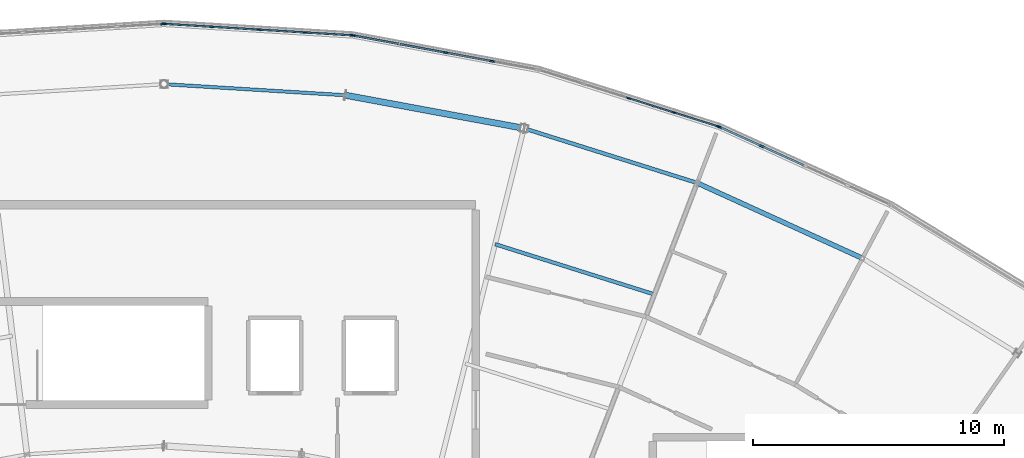
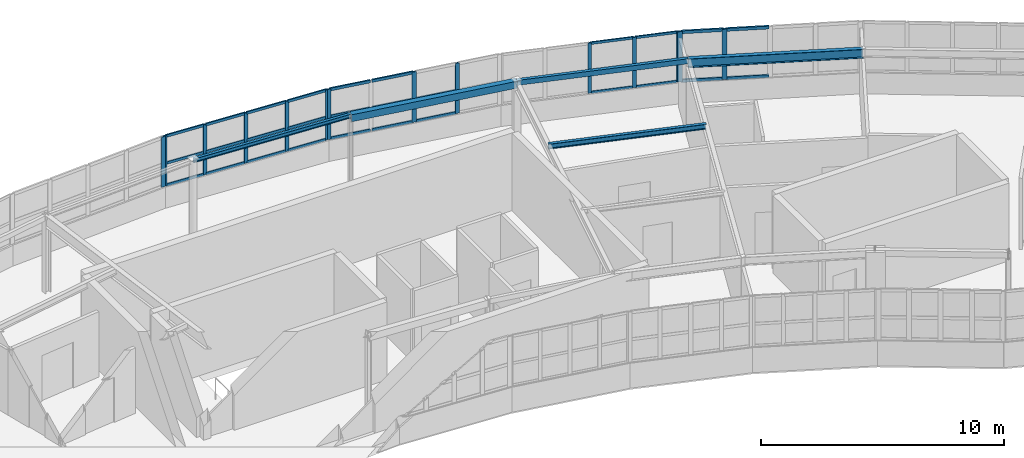
# One storey, part 11 of 26: 46 members, 5 beams, 5 elements without a shape of their own.
"""IFC4 building model written with IfcOpenShell, lengths in metres."""

from ifc_helpers import new_model, si_unit, direction, frame, origin, origin_2d, place, context, subcontext, project, spatial, rectangle, hollow_rectangle, i_section, extrude, material, layer, layer_set, material_profile, profile_set, type_object, element, aggregate, save


model = new_model("IFC4")

# Units and contexts
model_context = context("Model", 3, precision=1e-05, world=origin(), true_north=direction((0.0, 1.0)))
body_context = subcontext(model_context, "Body", "Model", "MODEL_VIEW")
ifc_project = project(units=[si_unit("LENGTHUNIT", "METRE"), si_unit("AREAUNIT", "SQUARE_METRE"), si_unit("VOLUMEUNIT", "CUBIC_METRE"), si_unit("PLANEANGLEUNIT", "RADIAN"), si_unit("MASSUNIT", "GRAM", prefix="KILO")], contexts=[model_context])

# Site, building, storey
site_placement = place(None, origin())
site = spatial("IfcSite", under=ifc_project, at=site_placement, CompositionType="ELEMENT")
building_placement = place(site_placement, origin())
building = spatial("IfcBuilding", under=site, at=building_placement, Name="Tarnwether General Hospital", CompositionType="ELEMENT")
storey_placement = place(building_placement, frame((0.0, 0.0, 30.0)))
storey = spatial("IfcBuildingStorey", under=building, at=storey_placement, Name="L07", CompositionType="ELEMENT", Elevation=30.0)

# Beams
ifc_material_1 = material(Name="Steel Grade 350 (350 MPa)", Category="steel")
ifc_material_profile_1 = material_profile(ifc_material_1, i_section(OverallWidth=0.14599609375, OverallDepth=0.256103515625, WebThickness=0.00634765625, FlangeThickness=0.010986328125, at=origin_2d()), Name="250UB37.3")
ifc_profile_set_1 = profile_set([ifc_material_profile_1], Name="Steel Grade 350 (350 MPa)")
beam_type_1 = type_object("IfcBeamType", Name="BM-J09", PredefinedType="JOIST", material=ifc_profile_set_1)
beam_1_placement = place(storey_placement, frame((105.172119140625, 115.8310546875, 3.77197265625), z_axis=(0.953671429399, -0.300850136693, 0.0), x_axis=(0.300850136693, 0.953671429399, 0.0)))
element("IfcBeam", 1, at=beam_1_placement, inside=storey, type_object=beam_type_1, Name="Curved Ward NW Chord Joist BMG-L07-10517_11583-11151_11383-2061", PredefinedType="JOIST", context=body_context, shape_type="SweptSolid", body=[
    extrude(i_section(OverallWidth=0.14599609375, OverallDepth=0.256103515625, WebThickness=0.00634765625, FlangeThickness=0.010986328125, at=origin_2d()), origin(), (0.0, 0.0, 1.0), 6.64794921875),
])
ifc_material_2 = material(Name="Steel Grade 350 (350 MPa)", Category="steel")
ifc_material_profile_2 = material_profile(ifc_material_2, i_section(OverallWidth=0.18994140625, OverallDepth=0.4541015625, WebThickness=0.008544921875, FlangeThickness=0.0126953125, at=origin_2d()), Name="460UB67.1")
ifc_profile_set_2 = profile_set([ifc_material_profile_2], Name="Steel Grade 350 (350 MPa)")
beam_type_2 = type_object("IfcBeamType", Name="BM-SP1", PredefinedType="SPANDREL", material=ifc_profile_set_2)
beam_2_placement = place(storey_placement, frame((113.215087890625, 118.26806640625, 3.673095703125), z_axis=(0.909943842177, -0.414731484316, 0.0), x_axis=(0.414731484316, 0.909943842177, 0.0)))
element("IfcBeam", 2, at=beam_2_placement, inside=storey, type_object=beam_type_2, Name="Curved Ward NW Outer Spandrel BMG-L07-11322_11827-11979_11527-2063", PredefinedType="SPANDREL", context=body_context, shape_type="SweptSolid", body=[
    extrude(i_section(OverallWidth=0.18994140625, OverallDepth=0.4541015625, WebThickness=0.008544921875, FlangeThickness=0.0126953125, at=origin_2d()), origin(), (0.0, 0.0, 1.0), 7.22900390625),
])
ifc_material_3 = material(Name="Steel Grade 350 (350 MPa)", Category="steel")
ifc_material_profile_3 = material_profile(ifc_material_3, i_section(OverallWidth=0.133056640625, OverallDepth=0.201904296875, WebThickness=0.0048828125, FlangeThickness=0.007080078125, at=origin_2d()), Name="200UB22.3")
ifc_profile_set_3 = profile_set([ifc_material_profile_3], Name="Steel Grade 350 (350 MPa)")
beam_type_3 = type_object("IfcBeamType", Name="BM-SP6", PredefinedType="SPANDREL", material=ifc_profile_set_3)
beam_3_placement = place(storey_placement, frame((92.0, 122.199951171875, 3.799072265625), z_axis=(0.998137964221, -0.060996757127, 0.0), x_axis=(0.060996757127, 0.998137964221, 0.0)))
element("IfcBeam", 3, at=beam_3_placement, inside=storey, type_object=beam_type_3, Name="Curved Ward NW Outer Spandrel BMG-L07-9200_12220-9922_12176-2055", PredefinedType="SPANDREL", context=body_context, shape_type="SweptSolid", body=[
    extrude(i_section(OverallWidth=0.133056640625, OverallDepth=0.201904296875, WebThickness=0.0048828125, FlangeThickness=0.007080078125, at=origin_2d()), origin(), (0.0, 0.0, 1.0), 7.228515625),
])
ifc_material_4 = material(Name="Steel Grade C350L0 (350 MPa)", Category="steel")
ifc_material_profile_4 = material_profile(ifc_material_4, hollow_rectangle(XDim=0.25, YDim=0.35009765625, WallThickness=0.012451171875, at=origin_2d()), Name="RHS350x250x12.5")
ifc_profile_set_4 = profile_set([ifc_material_profile_4], Name="Steel Grade C350L0 (350 MPa)")
beam_type_4 = type_object("IfcBeamType", Name="BM-SP7", PredefinedType="SPANDREL", material=ifc_profile_set_4)
beam_4_placement = place(storey_placement, frame((99.215087890625, 121.759033203125, 3.72509765625), z_axis=(0.98325623662, -0.182228354399, 0.0), x_axis=(0.182228354399, 0.98325623662, 0.0)))
element("IfcBeam", 4, at=beam_4_placement, inside=storey, type_object=beam_type_4, Name="Curved Ward NW Outer Spandrel BMG-L07-9922_12176-10632_12044-2057", PredefinedType="SPANDREL", context=body_context, shape_type="SweptSolid", body=[
    extrude(hollow_rectangle(XDim=0.25, YDim=0.35009765625, WallThickness=0.012451171875, at=origin_2d()), origin(), (0.0, 0.0, 1.0), 7.22802734375),
])
ifc_material_5 = material(Name="Steel Grade C350L0 (350 MPa)", Category="steel")
ifc_material_profile_5 = material_profile(ifc_material_5, hollow_rectangle(XDim=0.14990234375, YDim=0.25, WallThickness=0.008056640625, at=origin_2d()), Name="RHS250x150x8")
ifc_profile_set_5 = profile_set([ifc_material_profile_5], Name="Steel Grade C350L0 (350 MPa)")
beam_type_5 = type_object("IfcBeamType", Name="BM-SP8", PredefinedType="SPANDREL", material=ifc_profile_set_5)
beam_5_placement = place(storey_placement, frame((106.322021484375, 120.44189453125, 3.77490234375), z_axis=(0.953698988948, -0.300762761125, 0.0), x_axis=(0.300762761125, 0.953698988948, 0.0)))
element("IfcBeam", 5, at=beam_5_placement, inside=storey, type_object=beam_type_5, Name="Curved Ward NW Outer Spandrel BMG-L07-10632_12044-11322_11827-2059", PredefinedType="SPANDREL", context=body_context, shape_type="SweptSolid", body=[
    extrude(hollow_rectangle(XDim=0.14990234375, YDim=0.25, WallThickness=0.008056640625, at=origin_2d()), origin(), (0.0, 0.0, 1.0), 7.227783203125),
])

# Curtain wall, members
ifc_material_6 = material(Name="Anodised aluminium", Category="aluminium")
ifc_layer = layer(ifc_material_6, 0.179931640625)
ifc_layer_set = layer_set([ifc_layer], Name="Anodised aluminium")
curtain_wall_type = type_object("IfcCurtainWallType", Name="CW-07", PredefinedType="NOTDEFINED", material=ifc_layer_set)
curtain_wall_1_placement = place(storey_placement, origin())
curtain_wall_1 = element("IfcCurtainWall", 6, at=curtain_wall_1_placement, inside=storey, type_object=curtain_wall_type, Name="Curtain Wall CWG-L07-1069_1228-0148", PredefinedType="NOTDEFINED")
ifc_material_7 = material(Name="Anodised aluminium", Category="aluminium")
ifc_material_profile_6 = material_profile(ifc_material_7, rectangle(XDim=0.06005859375, YDim=0.159912109375, at=origin_2d()), Name="ALU-MUL-60x160")
ifc_profile_set_6 = profile_set([ifc_material_profile_6], Name="Anodised aluminium")
member_type_1 = type_object("IfcMemberType", Name="CW-ML1", PredefinedType="MULLION", material=ifc_profile_set_6)
member_1_placement = place(storey_placement, frame((110.488525390625, 121.639404296875, 1.050048828125), z_axis=(0.0, 0.0, 1.0), x_axis=(0.300628613299, 0.953741284032, 0.0)))
member_1 = element("IfcMember", 7, at=member_1_placement, type_object=member_type_1, Name="CW-07 mullion 3", PredefinedType="MULLION", context=body_context, shape_type="SweptSolid", body=[
    extrude(rectangle(XDim=0.06005859375, YDim=0.159912109375, at=origin_2d()), origin(), (0.0, 0.0, 1.0), 2.52001953125),
])
member_2_placement = place(storey_placement, frame((112.28173828125, 121.07421875, 1.050048828125), z_axis=(0.0, 0.0, 1.0), x_axis=(0.300628613299, 0.953741284032, 0.0)))
member_2 = element("IfcMember", 8, at=member_2_placement, type_object=member_type_1, Name="CW-07 mullion 4", PredefinedType="MULLION", context=body_context, shape_type="SweptSolid", body=[
    extrude(rectangle(XDim=0.06005859375, YDim=0.159912109375, at=origin_2d()), origin(), (0.0, 0.0, 1.0), 2.52001953125),
])
member_3_placement = place(storey_placement, frame((114.04638671875, 120.51806640625, 1.050048828125), z_axis=(0.0, 0.0, 1.0), x_axis=(0.300628613299, 0.953741284032, 0.0)))
member_3 = element("IfcMember", 9, at=member_3_placement, type_object=member_type_1, Name="CW-07 mullion 5", PredefinedType="MULLION", context=body_context, shape_type="SweptSolid", body=[
    extrude(rectangle(XDim=0.06005859375, YDim=0.159912109375, at=origin_2d()), origin(), (0.0, 0.0, 1.0), 2.52001953125),
])

curtain_wall_2_placement = place(storey_placement, origin())
curtain_wall_2 = element("IfcCurtainWall", 10, at=curtain_wall_2_placement, inside=storey, type_object=curtain_wall_type, Name="Curtain Wall CWG-L07-995_1241-0149", PredefinedType="NOTDEFINED")
ifc_material_8 = material(Name="Anodised aluminium", Category="aluminium")
ifc_material_profile_7 = material_profile(ifc_material_8, rectangle(XDim=0.070068359375, YDim=0.179931640625, at=origin_2d()), Name="ALU-MUL-70x180")
ifc_profile_set_7 = profile_set([ifc_material_profile_7], Name="Anodised aluminium")
member_type_2 = type_object("IfcMemberType", Name="CW-ML2", PredefinedType="MULLION", material=ifc_profile_set_7)
member_4_placement = place(storey_placement, frame((99.54150390625, 124.134521484375, 1.050048828125), z_axis=(0.0, 0.0, 1.0), x_axis=(0.182289226614, 0.983244953132, 0.0)))
member_4 = element("IfcMember", 11, at=member_4_placement, type_object=member_type_2, Name="CW-07 mullion 1", PredefinedType="MULLION", context=body_context, shape_type="SweptSolid", body=[
    extrude(rectangle(XDim=0.070068359375, YDim=0.179931640625, at=origin_2d()), origin(), (0.0, 0.0, 1.0), 2.52001953125),
])
member_5_placement = place(storey_placement, frame((103.20458984375, 123.45556640625, 1.050048828125), z_axis=(0.0, 0.0, 1.0), x_axis=(0.182289226614, 0.983244953132, 0.0)))
member_5 = element("IfcMember", 12, at=member_5_placement, type_object=member_type_2, Name="CW-07 mullion 3", PredefinedType="MULLION", context=body_context, shape_type="SweptSolid", body=[
    extrude(rectangle(XDim=0.070068359375, YDim=0.179931640625, at=origin_2d()), origin(), (0.0, 0.0, 1.0), 2.52001953125),
])
member_6_placement = place(storey_placement, frame((105.05322265625, 123.11279296875, 1.050048828125), z_axis=(0.0, 0.0, 1.0), x_axis=(0.182289226614, 0.983244953132, 0.0)))
member_6 = element("IfcMember", 13, at=member_6_placement, type_object=member_type_2, Name="CW-07 mullion 4", PredefinedType="MULLION", context=body_context, shape_type="SweptSolid", body=[
    extrude(rectangle(XDim=0.070068359375, YDim=0.179931640625, at=origin_2d()), origin(), (0.0, 0.0, 1.0), 2.52001953125),
])

curtain_wall_3_placement = place(storey_placement, origin())
curtain_wall_3 = element("IfcCurtainWall", 14, at=curtain_wall_3_placement, inside=storey, type_object=curtain_wall_type, Name="Curtain Wall CWG-L07-920_1246-0150", PredefinedType="NOTDEFINED")
ifc_material_9 = material(Name="Anodised aluminium", Category="aluminium")
ifc_material_profile_8 = material_profile(ifc_material_9, rectangle(XDim=0.06494140625, YDim=0.169921875, at=origin_2d()), Name="ALU-MUL-65x170")
ifc_profile_set_8 = profile_set([ifc_material_profile_8], Name="Anodised aluminium")
member_type_3 = type_object("IfcMemberType", Name="CW-ML3", PredefinedType="MULLION", material=ifc_profile_set_8)
member_7_placement = place(storey_placement, frame((92.032470703125, 124.597900390625, 1.050048828125), z_axis=(0.0, 0.0, 1.0), x_axis=(0.061028962567, 0.998135995608, 0.0)))
member_7 = element("IfcMember", 15, at=member_7_placement, type_object=member_type_3, Name="CW-07 mullion 1", PredefinedType="MULLION", context=body_context, shape_type="SweptSolid", body=[
    extrude(rectangle(XDim=0.06494140625, YDim=0.169921875, at=origin_2d()), origin(), (0.0, 0.0, 1.0), 2.52001953125),
])
member_8_placement = place(storey_placement, frame((93.876708984375, 124.4853515625, 1.050048828125), z_axis=(0.0, 0.0, 1.0), x_axis=(0.061028962567, 0.998135995608, 0.0)))
member_8 = element("IfcMember", 16, at=member_8_placement, type_object=member_type_3, Name="CW-07 mullion 2", PredefinedType="MULLION", context=body_context, shape_type="SweptSolid", body=[
    extrude(rectangle(XDim=0.06494140625, YDim=0.169921875, at=origin_2d()), origin(), (0.0, 0.0, 1.0), 2.52001953125),
])
member_9_placement = place(storey_placement, frame((95.75341796875, 124.37060546875, 1.050048828125), z_axis=(0.0, 0.0, 1.0), x_axis=(0.061028962567, 0.998135995608, 0.0)))
member_9 = element("IfcMember", 17, at=member_9_placement, type_object=member_type_3, Name="CW-07 mullion 3", PredefinedType="MULLION", context=body_context, shape_type="SweptSolid", body=[
    extrude(rectangle(XDim=0.06494140625, YDim=0.169921875, at=origin_2d()), origin(), (0.0, 0.0, 1.0), 2.52001953125),
])
member_10_placement = place(storey_placement, frame((97.63037109375, 124.255859375, 1.050048828125), z_axis=(0.0, 0.0, 1.0), x_axis=(0.061028962567, 0.998135995608, 0.0)))
member_10 = element("IfcMember", 18, at=member_10_placement, type_object=member_type_3, Name="CW-07 mullion 4", PredefinedType="MULLION", context=body_context, shape_type="SweptSolid", body=[
    extrude(rectangle(XDim=0.06494140625, YDim=0.169921875, at=origin_2d()), origin(), (0.0, 0.0, 1.0), 2.52001953125),
])
member_11_placement = place(storey_placement, frame((99.474609375, 124.14306640625, 1.050048828125), z_axis=(0.0, 0.0, 1.0), x_axis=(0.061028962567, 0.998135995608, 0.0)))
member_11 = element("IfcMember", 19, at=member_11_placement, type_object=member_type_3, Name="CW-07 mullion 5", PredefinedType="MULLION", context=body_context, shape_type="SweptSolid", body=[
    extrude(rectangle(XDim=0.06494140625, YDim=0.169921875, at=origin_2d()), origin(), (0.0, 0.0, 1.0), 2.52001953125),
])

curtain_wall_4_placement = place(storey_placement, origin())
curtain_wall_4 = element("IfcCurtainWall", 20, at=curtain_wall_4_placement, inside=storey, type_object=curtain_wall_type, Name="Curtain Wall CWG-L07-1141_1205-0147", PredefinedType="NOTDEFINED")
ifc_material_10 = material(Name="Anodised aluminium", Category="aluminium")
ifc_material_profile_9 = material_profile(ifc_material_10, rectangle(XDim=0.080078125, YDim=0.199951171875, at=origin_2d()), Name="ALU-MUL-80x200")
ifc_profile_set_9 = profile_set([ifc_material_profile_9], Name="Anodised aluminium")
member_type_4 = type_object("IfcMemberType", Name="CW-ML4", PredefinedType="MULLION", material=ifc_profile_set_9)
member_12_placement = place(storey_placement, frame((114.111328125, 120.492431640625, 1.050048828125), z_axis=(0.0, 0.0, 1.0), x_axis=(0.414694289316, 0.909960793886, 0.0)))
member_12 = element("IfcMember", 21, at=member_12_placement, type_object=member_type_4, Name="CW-07 mullion 1", PredefinedType="MULLION", context=body_context, shape_type="SweptSolid", body=[
    extrude(rectangle(XDim=0.080078125, YDim=0.199951171875, at=origin_2d()), origin(), (0.0, 0.0, 1.0), 2.52001953125),
])
member_13_placement = place(storey_placement, frame((115.785888671875, 119.729248046875, 1.050048828125), z_axis=(0.0, 0.0, 1.0), x_axis=(0.414694289316, 0.909960793886, 0.0)))
member_13 = element("IfcMember", 22, at=member_13_placement, type_object=member_type_4, Name="CW-07 mullion 2", PredefinedType="MULLION", context=body_context, shape_type="SweptSolid", body=[
    extrude(rectangle(XDim=0.080078125, YDim=0.199951171875, at=origin_2d()), origin(), (0.0, 0.0, 1.0), 2.52001953125),
])

# Curtain wall, member
curtain_wall_5_placement = place(storey_placement, origin())
curtain_wall_5 = element("IfcCurtainWall", 23, at=curtain_wall_5_placement, inside=storey, type_object=curtain_wall_type, Name="Curtain Wall CWG-L07-845_1241-0151", PredefinedType="NOTDEFINED")
member_14_placement = place(storey_placement, frame((91.9599609375, 124.59765625, 1.050048828125), z_axis=(0.0, 0.0, 1.0), x_axis=(-0.061028962567, 0.998135995608, 0.0)))
member_14 = element("IfcMember", 24, at=member_14_placement, type_object=member_type_4, Name="CW-07 mullion 5", PredefinedType="MULLION", context=body_context, shape_type="SweptSolid", body=[
    extrude(rectangle(XDim=0.080078125, YDim=0.199951171875, at=origin_2d()), origin(), (0.0, 0.0, 1.0), 2.52001953125),
])
aggregate(curtain_wall_5, [member_14])

# Member
ifc_material_11 = material(Name="Anodised aluminium", Category="aluminium")
ifc_material_profile_10 = material_profile(ifc_material_11, rectangle(XDim=0.06005859375, YDim=0.1201171875, at=origin_2d()), Name="ALU-TRN-60x120")
ifc_profile_set_10 = profile_set([ifc_material_profile_10], Name="Anodised aluminium")
member_type_5 = type_object("IfcMemberType", Name="CW-TR1", PredefinedType="USERDEFINED", material=ifc_profile_set_10)
member_15_placement = place(storey_placement, frame((110.51708984375, 121.63037109375, 1.080078125), z_axis=(0.953758856657, -0.300572858637, 0.0), x_axis=(0.300572858637, 0.953758856657, 0.0)))
member_15 = element("IfcMember", 25, at=member_15_placement, type_object=member_type_5, Name="CW-07 transom 3.1", ObjectType="TRANSOM", PredefinedType="USERDEFINED", context=body_context, shape_type="SweptSolid", body=[
    extrude(rectangle(XDim=0.06005859375, YDim=0.1201171875, at=origin_2d()), origin(), (0.0, 0.0, 1.0), 1.8203125),
])

member_16_placement = place(storey_placement, frame((110.51708984375, 121.63037109375, 2.18408203125), z_axis=(0.953758856657, -0.300572858637, 0.0), x_axis=(0.300572858637, 0.953758856657, 0.0)))
member_16 = element("IfcMember", 26, at=member_16_placement, type_object=member_type_5, Name="CW-07 transom 3.2", ObjectType="TRANSOM", PredefinedType="USERDEFINED", context=body_context, shape_type="SweptSolid", body=[
    extrude(rectangle(XDim=0.06005859375, YDim=0.1201171875, at=origin_2d()), origin(), (0.0, 0.0, 1.0), 1.8203125),
])

member_17_placement = place(storey_placement, frame((110.51708984375, 121.63037109375, 3.5400390625), z_axis=(0.953758856657, -0.300572858637, 0.0), x_axis=(0.300572858637, 0.953758856657, 0.0)))
member_17 = element("IfcMember", 27, at=member_17_placement, type_object=member_type_5, Name="CW-07 transom 3.3", ObjectType="TRANSOM", PredefinedType="USERDEFINED", context=body_context, shape_type="SweptSolid", body=[
    extrude(rectangle(XDim=0.06005859375, YDim=0.1201171875, at=origin_2d()), origin(), (0.0, 0.0, 1.0), 1.8203125),
])

member_18_placement = place(storey_placement, frame((112.310302734375, 121.065185546875, 1.080078125), z_axis=(0.953763859338, -0.300556983983, 0.0), x_axis=(0.300556983983, 0.953763859338, 0.0)))
member_18 = element("IfcMember", 28, at=member_18_placement, type_object=member_type_5, Name="CW-07 transom 4.1", ObjectType="TRANSOM", PredefinedType="USERDEFINED", context=body_context, shape_type="SweptSolid", body=[
    extrude(rectangle(XDim=0.06005859375, YDim=0.1201171875, at=origin_2d()), origin(), (0.0, 0.0, 1.0), 1.790283203125),
])

member_19_placement = place(storey_placement, frame((112.310302734375, 121.065185546875, 2.18408203125), z_axis=(0.953763859338, -0.300556983983, 0.0), x_axis=(0.300556983983, 0.953763859338, 0.0)))
member_19 = element("IfcMember", 29, at=member_19_placement, type_object=member_type_5, Name="CW-07 transom 4.2", ObjectType="TRANSOM", PredefinedType="USERDEFINED", context=body_context, shape_type="SweptSolid", body=[
    extrude(rectangle(XDim=0.06005859375, YDim=0.1201171875, at=origin_2d()), origin(), (0.0, 0.0, 1.0), 1.790283203125),
])

member_20_placement = place(storey_placement, frame((112.310302734375, 121.065185546875, 3.5400390625), z_axis=(0.953763859338, -0.300556983983, 0.0), x_axis=(0.300556983983, 0.953763859338, 0.0)))
member_20 = element("IfcMember", 30, at=member_20_placement, type_object=member_type_5, Name="CW-07 transom 4.3", ObjectType="TRANSOM", PredefinedType="USERDEFINED", context=body_context, shape_type="SweptSolid", body=[
    extrude(rectangle(XDim=0.06005859375, YDim=0.1201171875, at=origin_2d()), origin(), (0.0, 0.0, 1.0), 1.790283203125),
])

aggregate(curtain_wall_1, [member_1, member_2, member_3, member_15, member_16, member_17, member_18, member_19, member_20])

ifc_material_12 = material(Name="Anodised aluminium", Category="aluminium")
ifc_material_profile_11 = material_profile(ifc_material_12, rectangle(XDim=0.070068359375, YDim=0.139892578125, at=origin_2d()), Name="ALU-TRN-70x140")
ifc_profile_set_11 = profile_set([ifc_material_profile_11], Name="Anodised aluminium")
member_type_6 = type_object("IfcMemberType", Name="CW-TR2", PredefinedType="USERDEFINED", material=ifc_profile_set_11)
member_21_placement = place(storey_placement, frame((99.575927734375, 124.128173828125, 1.0849609375), z_axis=(0.983254632338, -0.18223701047, 0.0), x_axis=(0.18223701047, 0.983254632338, 0.0)))
member_21 = element("IfcMember", 31, at=member_21_placement, type_object=member_type_6, Name="CW-07 transom 1.1", ObjectType="TRANSOM", PredefinedType="USERDEFINED", context=body_context, shape_type="SweptSolid", body=[
    extrude(rectangle(XDim=0.070068359375, YDim=0.139892578125, at=origin_2d()), origin(), (0.0, 0.0, 1.0), 1.775146484375),
])

member_22_placement = place(storey_placement, frame((99.575927734375, 124.128173828125, 2.18408203125), z_axis=(0.983254632338, -0.18223701047, 0.0), x_axis=(0.18223701047, 0.983254632338, 0.0)))
member_22 = element("IfcMember", 32, at=member_22_placement, type_object=member_type_6, Name="CW-07 transom 1.2", ObjectType="TRANSOM", PredefinedType="USERDEFINED", context=body_context, shape_type="SweptSolid", body=[
    extrude(rectangle(XDim=0.070068359375, YDim=0.139892578125, at=origin_2d()), origin(), (0.0, 0.0, 1.0), 1.775146484375),
])

member_23_placement = place(storey_placement, frame((99.575927734375, 124.128173828125, 3.534912109375), z_axis=(0.983254632338, -0.18223701047, 0.0), x_axis=(0.18223701047, 0.983254632338, 0.0)))
member_23 = element("IfcMember", 33, at=member_23_placement, type_object=member_type_6, Name="CW-07 transom 1.3", ObjectType="TRANSOM", PredefinedType="USERDEFINED", context=body_context, shape_type="SweptSolid", body=[
    extrude(rectangle(XDim=0.070068359375, YDim=0.139892578125, at=origin_2d()), origin(), (0.0, 0.0, 1.0), 1.775146484375),
])

member_24_placement = place(storey_placement, frame((101.39013671875, 123.791748046875, 1.0849609375), z_axis=(0.983262324748, -0.182195501404, 0.0), x_axis=(0.182195501404, 0.983262324748, 0.0)))
member_24 = element("IfcMember", 34, at=member_24_placement, type_object=member_type_6, Name="CW-07 transom 2.1", ObjectType="TRANSOM", PredefinedType="USERDEFINED", context=body_context, shape_type="SweptSolid", body=[
    extrude(rectangle(XDim=0.070068359375, YDim=0.139892578125, at=origin_2d()), origin(), (0.0, 0.0, 1.0), 1.810302734375),
])

member_25_placement = place(storey_placement, frame((101.39013671875, 123.791748046875, 2.18408203125), z_axis=(0.983262324748, -0.182195501404, 0.0), x_axis=(0.182195501404, 0.983262324748, 0.0)))
member_25 = element("IfcMember", 35, at=member_25_placement, type_object=member_type_6, Name="CW-07 transom 2.2", ObjectType="TRANSOM", PredefinedType="USERDEFINED", context=body_context, shape_type="SweptSolid", body=[
    extrude(rectangle(XDim=0.070068359375, YDim=0.139892578125, at=origin_2d()), origin(), (0.0, 0.0, 1.0), 1.810302734375),
])

member_26_placement = place(storey_placement, frame((101.39013671875, 123.791748046875, 3.534912109375), z_axis=(0.983262324748, -0.182195501404, 0.0), x_axis=(0.182195501404, 0.983262324748, 0.0)))
member_26 = element("IfcMember", 36, at=member_26_placement, type_object=member_type_6, Name="CW-07 transom 2.3", ObjectType="TRANSOM", PredefinedType="USERDEFINED", context=body_context, shape_type="SweptSolid", body=[
    extrude(rectangle(XDim=0.070068359375, YDim=0.139892578125, at=origin_2d()), origin(), (0.0, 0.0, 1.0), 1.810302734375),
])

member_27_placement = place(storey_placement, frame((103.239013671875, 123.44921875, 1.0849609375), z_axis=(0.983233673232, -0.182350058465, 0.0), x_axis=(0.182350058465, 0.983233673232, 0.0)))
member_27 = element("IfcMember", 37, at=member_27_placement, type_object=member_type_6, Name="CW-07 transom 3.1", ObjectType="TRANSOM", PredefinedType="USERDEFINED", context=body_context, shape_type="SweptSolid", body=[
    extrude(rectangle(XDim=0.070068359375, YDim=0.139892578125, at=origin_2d()), origin(), (0.0, 0.0, 1.0), 1.81005859375),
])

member_28_placement = place(storey_placement, frame((103.239013671875, 123.44921875, 2.18408203125), z_axis=(0.983233673232, -0.182350058465, 0.0), x_axis=(0.182350058465, 0.983233673232, 0.0)))
member_28 = element("IfcMember", 38, at=member_28_placement, type_object=member_type_6, Name="CW-07 transom 3.2", ObjectType="TRANSOM", PredefinedType="USERDEFINED", context=body_context, shape_type="SweptSolid", body=[
    extrude(rectangle(XDim=0.070068359375, YDim=0.139892578125, at=origin_2d()), origin(), (0.0, 0.0, 1.0), 1.81005859375),
])

aggregate(curtain_wall_2, [member_4, member_5, member_6, member_21, member_22, member_23, member_24, member_25, member_26, member_27, member_28])

ifc_material_13 = material(Name="Anodised aluminium", Category="aluminium")
ifc_material_profile_12 = material_profile(ifc_material_13, rectangle(XDim=0.06494140625, YDim=0.1298828125, at=origin_2d()), Name="ALU-TRN-65x130")
ifc_profile_set_12 = profile_set([ifc_material_profile_12], Name="Anodised aluminium")
member_type_7 = type_object("IfcMemberType", Name="CW-TR3", PredefinedType="USERDEFINED", material=ifc_profile_set_12)
member_29_placement = place(storey_placement, frame((92.06494140625, 124.595947265625, 1.08251953125), z_axis=(0.998141078696, -0.060945771133, 0.0), x_axis=(0.060945771133, 0.998141078696, 0.0)))
member_29 = element("IfcMember", 39, at=member_29_placement, type_object=member_type_7, Name="CW-07 transom 1.1", ObjectType="TRANSOM", PredefinedType="USERDEFINED", context=body_context, shape_type="SweptSolid", body=[
    extrude(rectangle(XDim=0.06494140625, YDim=0.1298828125, at=origin_2d()), origin(), (0.0, 0.0, 1.0), 1.78271484375),
])

member_30_placement = place(storey_placement, frame((92.06494140625, 124.595947265625, 2.18408203125), z_axis=(0.998141078696, -0.060945771133, 0.0), x_axis=(0.060945771133, 0.998141078696, 0.0)))
member_30 = element("IfcMember", 40, at=member_30_placement, type_object=member_type_7, Name="CW-07 transom 1.2", ObjectType="TRANSOM", PredefinedType="USERDEFINED", context=body_context, shape_type="SweptSolid", body=[
    extrude(rectangle(XDim=0.06494140625, YDim=0.1298828125, at=origin_2d()), origin(), (0.0, 0.0, 1.0), 1.78271484375),
])

member_31_placement = place(storey_placement, frame((92.06494140625, 124.595947265625, 3.53759765625), z_axis=(0.998141078696, -0.060945771133, 0.0), x_axis=(0.060945771133, 0.998141078696, 0.0)))
member_31 = element("IfcMember", 41, at=member_31_placement, type_object=member_type_7, Name="CW-07 transom 1.3", ObjectType="TRANSOM", PredefinedType="USERDEFINED", context=body_context, shape_type="SweptSolid", body=[
    extrude(rectangle(XDim=0.06494140625, YDim=0.1298828125, at=origin_2d()), origin(), (0.0, 0.0, 1.0), 1.78271484375),
])

member_32_placement = place(storey_placement, frame((93.9091796875, 124.483154296875, 1.08251953125), z_axis=(0.998142067648, -0.060929572382, 0.0), x_axis=(0.060929572382, 0.998142067648, 0.0)))
member_32 = element("IfcMember", 42, at=member_32_placement, type_object=member_type_7, Name="CW-07 transom 2.1", ObjectType="TRANSOM", PredefinedType="USERDEFINED", context=body_context, shape_type="SweptSolid", body=[
    extrude(rectangle(XDim=0.06494140625, YDim=0.1298828125, at=origin_2d()), origin(), (0.0, 0.0, 1.0), 1.815185546875),
])

member_33_placement = place(storey_placement, frame((93.9091796875, 124.483154296875, 2.18408203125), z_axis=(0.998142067648, -0.060929572382, 0.0), x_axis=(0.060929572382, 0.998142067648, 0.0)))
member_33 = element("IfcMember", 43, at=member_33_placement, type_object=member_type_7, Name="CW-07 transom 2.2", ObjectType="TRANSOM", PredefinedType="USERDEFINED", context=body_context, shape_type="SweptSolid", body=[
    extrude(rectangle(XDim=0.06494140625, YDim=0.1298828125, at=origin_2d()), origin(), (0.0, 0.0, 1.0), 1.815185546875),
])

member_34_placement = place(storey_placement, frame((93.9091796875, 124.483154296875, 3.53759765625), z_axis=(0.998142067648, -0.060929572382, 0.0), x_axis=(0.060929572382, 0.998142067648, 0.0)))
member_34 = element("IfcMember", 44, at=member_34_placement, type_object=member_type_7, Name="CW-07 transom 2.3", ObjectType="TRANSOM", PredefinedType="USERDEFINED", context=body_context, shape_type="SweptSolid", body=[
    extrude(rectangle(XDim=0.06494140625, YDim=0.1298828125, at=origin_2d()), origin(), (0.0, 0.0, 1.0), 1.815185546875),
])

member_35_placement = place(storey_placement, frame((95.785888671875, 124.368408203125, 1.08251953125), z_axis=(0.998142566876, -0.060921393532, 0.0), x_axis=(0.060921393532, 0.998142566876, 0.0)))
member_35 = element("IfcMember", 45, at=member_35_placement, type_object=member_type_7, Name="CW-07 transom 3.1", ObjectType="TRANSOM", PredefinedType="USERDEFINED", context=body_context, shape_type="SweptSolid", body=[
    extrude(rectangle(XDim=0.06494140625, YDim=0.1298828125, at=origin_2d()), origin(), (0.0, 0.0, 1.0), 1.8154296875),
])

member_36_placement = place(storey_placement, frame((95.785888671875, 124.368408203125, 2.18408203125), z_axis=(0.998142566876, -0.060921393532, 0.0), x_axis=(0.060921393532, 0.998142566876, 0.0)))
member_36 = element("IfcMember", 46, at=member_36_placement, type_object=member_type_7, Name="CW-07 transom 3.2", ObjectType="TRANSOM", PredefinedType="USERDEFINED", context=body_context, shape_type="SweptSolid", body=[
    extrude(rectangle(XDim=0.06494140625, YDim=0.1298828125, at=origin_2d()), origin(), (0.0, 0.0, 1.0), 1.8154296875),
])

member_37_placement = place(storey_placement, frame((95.785888671875, 124.368408203125, 3.53759765625), z_axis=(0.998142566876, -0.060921393532, 0.0), x_axis=(0.060921393532, 0.998142566876, 0.0)))
member_37 = element("IfcMember", 47, at=member_37_placement, type_object=member_type_7, Name="CW-07 transom 3.3", ObjectType="TRANSOM", PredefinedType="USERDEFINED", context=body_context, shape_type="SweptSolid", body=[
    extrude(rectangle(XDim=0.06494140625, YDim=0.1298828125, at=origin_2d()), origin(), (0.0, 0.0, 1.0), 1.8154296875),
])

member_38_placement = place(storey_placement, frame((97.66259765625, 124.253662109375, 1.08251953125), z_axis=(0.998141587302, -0.060937440849, 0.0), x_axis=(0.060937440849, 0.998141587302, 0.0)))
member_38 = element("IfcMember", 48, at=member_38_placement, type_object=member_type_7, Name="CW-07 transom 4.1", ObjectType="TRANSOM", PredefinedType="USERDEFINED", context=body_context, shape_type="SweptSolid", body=[
    extrude(rectangle(XDim=0.06494140625, YDim=0.1298828125, at=origin_2d()), origin(), (0.0, 0.0, 1.0), 1.782958984375),
])

member_39_placement = place(storey_placement, frame((97.66259765625, 124.253662109375, 2.18408203125), z_axis=(0.998141587302, -0.060937440849, 0.0), x_axis=(0.060937440849, 0.998141587302, 0.0)))
member_39 = element("IfcMember", 49, at=member_39_placement, type_object=member_type_7, Name="CW-07 transom 4.2", ObjectType="TRANSOM", PredefinedType="USERDEFINED", context=body_context, shape_type="SweptSolid", body=[
    extrude(rectangle(XDim=0.06494140625, YDim=0.1298828125, at=origin_2d()), origin(), (0.0, 0.0, 1.0), 1.782958984375),
])

member_40_placement = place(storey_placement, frame((97.66259765625, 124.253662109375, 3.53759765625), z_axis=(0.998141587302, -0.060937440849, 0.0), x_axis=(0.060937440849, 0.998141587302, 0.0)))
member_40 = element("IfcMember", 50, at=member_40_placement, type_object=member_type_7, Name="CW-07 transom 4.3", ObjectType="TRANSOM", PredefinedType="USERDEFINED", context=body_context, shape_type="SweptSolid", body=[
    extrude(rectangle(XDim=0.06494140625, YDim=0.1298828125, at=origin_2d()), origin(), (0.0, 0.0, 1.0), 1.782958984375),
])

aggregate(curtain_wall_3, [member_7, member_8, member_9, member_10, member_11, member_29, member_30, member_31, member_32, member_33, member_34, member_35, member_36, member_37, member_38, member_39, member_40])

ifc_material_14 = material(Name="Anodised aluminium", Category="aluminium")
ifc_material_profile_13 = material_profile(ifc_material_14, rectangle(XDim=0.080078125, YDim=0.14990234375, at=origin_2d()), Name="ALU-TRN-80x150")
ifc_profile_set_13 = profile_set([ifc_material_profile_13], Name="Anodised aluminium")
member_type_8 = type_object("IfcMemberType", Name="CW-TR4", PredefinedType="USERDEFINED", material=ifc_profile_set_13)
member_41_placement = place(storey_placement, frame((114.147705078125, 120.475830078125, 1.090087890625), z_axis=(0.90996231564, -0.414690950124, 0.0), x_axis=(0.414690950124, 0.90996231564, 0.0)))
member_41 = element("IfcMember", 51, at=member_41_placement, type_object=member_type_8, Name="CW-07 transom 1.1", ObjectType="TRANSOM", PredefinedType="USERDEFINED", context=body_context, shape_type="SweptSolid", body=[
    extrude(rectangle(XDim=0.080078125, YDim=0.14990234375, at=origin_2d()), origin(), (0.0, 0.0, 1.0), 1.76025390625),
])

member_42_placement = place(storey_placement, frame((114.147705078125, 120.475830078125, 2.18408203125), z_axis=(0.90996231564, -0.414690950124, 0.0), x_axis=(0.414690950124, 0.90996231564, 0.0)))
member_42 = element("IfcMember", 52, at=member_42_placement, type_object=member_type_8, Name="CW-07 transom 1.2", ObjectType="TRANSOM", PredefinedType="USERDEFINED", context=body_context, shape_type="SweptSolid", body=[
    extrude(rectangle(XDim=0.080078125, YDim=0.14990234375, at=origin_2d()), origin(), (0.0, 0.0, 1.0), 1.76025390625),
])

member_43_placement = place(storey_placement, frame((114.147705078125, 120.475830078125, 3.530029296875), z_axis=(0.90996231564, -0.414690950124, 0.0), x_axis=(0.414690950124, 0.90996231564, 0.0)))
member_43 = element("IfcMember", 53, at=member_43_placement, type_object=member_type_8, Name="CW-07 transom 1.3", ObjectType="TRANSOM", PredefinedType="USERDEFINED", context=body_context, shape_type="SweptSolid", body=[
    extrude(rectangle(XDim=0.080078125, YDim=0.14990234375, at=origin_2d()), origin(), (0.0, 0.0, 1.0), 1.76025390625),
])

member_44_placement = place(storey_placement, frame((115.822509765625, 119.712646484375, 1.090087890625), z_axis=(0.909957339383, -0.414701869424, 0.0), x_axis=(0.414701869424, 0.909957339383, 0.0)))
member_44 = element("IfcMember", 54, at=member_44_placement, type_object=member_type_8, Name="CW-07 transom 2.1", ObjectType="TRANSOM", PredefinedType="USERDEFINED", context=body_context, shape_type="SweptSolid", body=[
    extrude(rectangle(XDim=0.080078125, YDim=0.14990234375, at=origin_2d()), origin(), (0.0, 0.0, 1.0), 1.80029296875),
])

member_45_placement = place(storey_placement, frame((115.822509765625, 119.712646484375, 2.18408203125), z_axis=(0.909957339383, -0.414701869424, 0.0), x_axis=(0.414701869424, 0.909957339383, 0.0)))
member_45 = element("IfcMember", 55, at=member_45_placement, type_object=member_type_8, Name="CW-07 transom 2.2", ObjectType="TRANSOM", PredefinedType="USERDEFINED", context=body_context, shape_type="SweptSolid", body=[
    extrude(rectangle(XDim=0.080078125, YDim=0.14990234375, at=origin_2d()), origin(), (0.0, 0.0, 1.0), 1.80029296875),
])

member_46_placement = place(storey_placement, frame((115.822509765625, 119.712646484375, 3.530029296875), z_axis=(0.909957339383, -0.414701869424, 0.0), x_axis=(0.414701869424, 0.909957339383, 0.0)))
member_46 = element("IfcMember", 56, at=member_46_placement, type_object=member_type_8, Name="CW-07 transom 2.3", ObjectType="TRANSOM", PredefinedType="USERDEFINED", context=body_context, shape_type="SweptSolid", body=[
    extrude(rectangle(XDim=0.080078125, YDim=0.14990234375, at=origin_2d()), origin(), (0.0, 0.0, 1.0), 1.80029296875),
])

aggregate(curtain_wall_4, [member_12, member_13, member_41, member_42, member_43, member_44, member_45, member_46])

save(model, "model.ifc")
